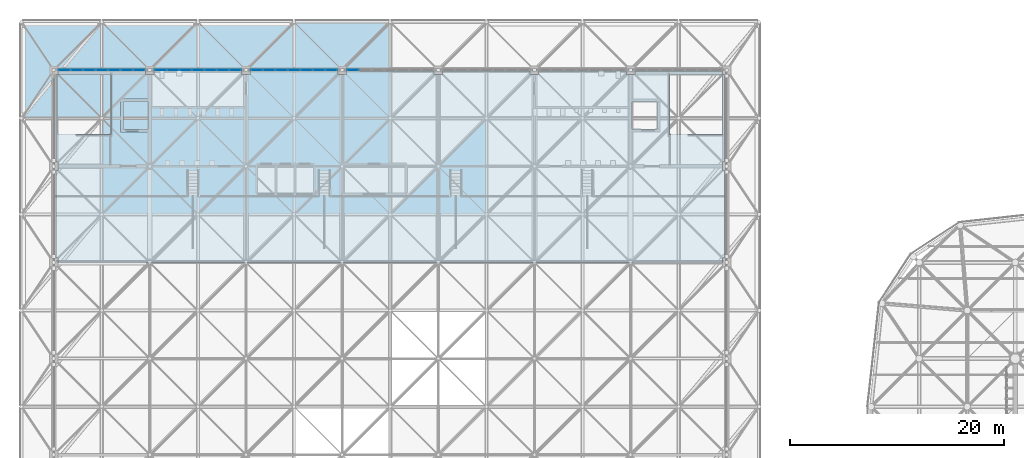
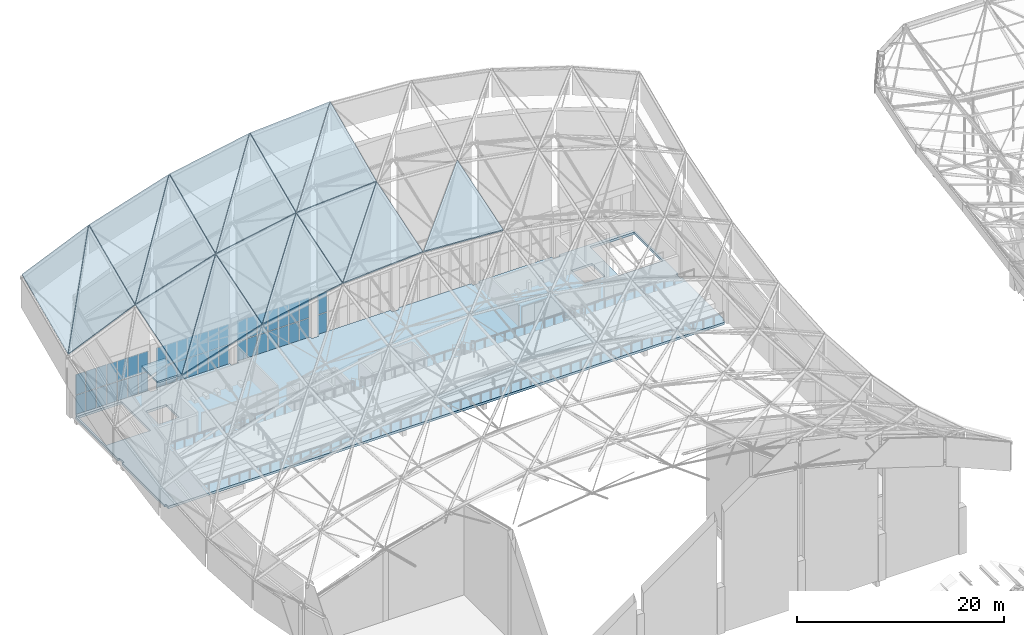
# One storey, part 243 of 437: 44 plates, 17 slabs, 4 elements without a shape of their own.
"""IFC4 building model written with IfcOpenShell, lengths in metres."""

from ifc_helpers import new_model, si_unit, direction, frame, origin, origin_2d, place, context, subcontext, project, spatial, polyline, rectangle, outline, extrude, material, layer, layer_set, type_object, element, aggregate, save


model = new_model("IFC4")

# Units and contexts
model_context = context("Model", 3, precision=1e-05, world=origin(), true_north=direction((0.0, 1.0)))
body_context = subcontext(model_context, "Body", "Model", "MODEL_VIEW")
ifc_project = project(units=[si_unit("LENGTHUNIT", "METRE"), si_unit("AREAUNIT", "SQUARE_METRE"), si_unit("VOLUMEUNIT", "CUBIC_METRE"), si_unit("PLANEANGLEUNIT", "RADIAN"), si_unit("MASSUNIT", "GRAM", prefix="KILO")], contexts=[model_context])

# Site, building, storey
site_placement = place(None, origin())
site = spatial("IfcSite", under=ifc_project, at=site_placement, CompositionType="ELEMENT")
building_placement = place(site_placement, origin())
building = spatial("IfcBuilding", under=site, at=building_placement, Name="Opaline Strait Convention Centre", CompositionType="ELEMENT")
storey_placement = place(building_placement, frame((0.0, 0.0, 11.5)))
storey = spatial("IfcBuildingStorey", under=building, at=storey_placement, Name="L02", CompositionType="ELEMENT", Elevation=11.5)

# Slab
ifc_material_1 = material(Name="Concrete C35", Category="concrete")
ifc_layer_1 = layer(ifc_material_1, 0.199951171875)
ifc_layer_set_1 = layer_set([ifc_layer_1], Name="Concrete C35")
slab_type_1 = type_object("IfcSlabType", Name="Core roof slab 200", PredefinedType="ROOF", material=ifc_layer_set_1)
slab_1_placement = place(storey_placement, frame((0.0, 0.0, 5.10009765625)))
element("IfcSlab", 1, at=slab_1_placement, inside=storey, type_object=slab_type_1, Name="PFS10 NW lift shaft head slab", PredefinedType="ROOF", context=body_context, shape_type="SweptSolid", body=[
    extrude(outline(polyline([(15.25, 174.199951171875), (17.85009765625, 174.199951171875), (17.85009765625, 177.300048828125), (15.25, 177.300048828125), (15.25, 174.199951171875)])), origin(), (0.0, 0.0, 1.0), 0.199951171875),
])

# Curtain wall, plates
ifc_material_2 = material(Name="Aluminium framed double glazing", Category="aluminium")
ifc_layer_2 = layer(ifc_material_2, 0.199951171875)
ifc_layer_set_2 = layer_set([ifc_layer_2], Name="Aluminium framed double glazing")
curtain_wall_type = type_object("IfcCurtainWallType", Name="Curtain wall 1250", PredefinedType="NOTDEFINED", material=ifc_layer_set_2)
curtain_wall_1_placement = place(storey_placement, origin())
curtain_wall_1 = element("IfcCurtainWall", 2, at=curtain_wall_1_placement, inside=storey, type_object=curtain_wall_type, Name="Curtain wall N-9-L02", PredefinedType="NOTDEFINED")
ifc_material_3 = material(Name="Double glazed unit low emissivity", Category="glass")
ifc_layer_3 = layer(ifc_material_3, 0.028076171875)
ifc_layer_set_3 = layer_set([ifc_layer_3], Name="Double glazed unit low emissivity")
plate_type = type_object("IfcPlateType", Name="Curtain wall glass panel 28", PredefinedType="CURTAIN_PANEL", material=ifc_layer_set_3)
plate_1_placement = place(storey_placement, frame((10.000732421875, 180.0, -0.219970703125), z_axis=(0.0, 0.0, 1.0), x_axis=(1.0, 0.0, 0.0)))
plate_1 = element("IfcPlate", 3, at=plate_1_placement, type_object=plate_type, Name="PCW panel 1.1", PredefinedType="CURTAIN_PANEL", context=body_context, shape_type="SweptSolid", body=[
    extrude(rectangle(XDim=1.08154296875, YDim=0.028076171875, at=origin_2d()), origin(), (0.0, 0.0, 1.0), 2.39990234375),
])
plate_2_placement = place(storey_placement, frame((10.000732421875, 180.0, 2.239990234375), z_axis=(0.0, 0.0, 1.0), x_axis=(1.0, 0.0, 0.0)))
plate_2 = element("IfcPlate", 4, at=plate_2_placement, type_object=plate_type, Name="PCW panel 1.2", PredefinedType="CURTAIN_PANEL", context=body_context, shape_type="SweptSolid", body=[
    extrude(rectangle(XDim=1.08154296875, YDim=0.028076171875, at=origin_2d()), origin(), (0.0, 0.0, 1.0), 2.39990234375),
])
plate_3_placement = place(storey_placement, frame((11.156982421875, 180.0, -0.219970703125), z_axis=(0.0, 0.0, 1.0), x_axis=(1.0, 0.0, 0.0)))
plate_3 = element("IfcPlate", 5, at=plate_3_placement, type_object=plate_type, Name="PCW panel 2.1", PredefinedType="CURTAIN_PANEL", context=body_context, shape_type="SweptSolid", body=[
    extrude(rectangle(XDim=1.111572265625, YDim=0.028076171875, at=origin_2d()), origin(), (0.0, 0.0, 1.0), 2.39990234375),
])
plate_4_placement = place(storey_placement, frame((11.156982421875, 180.0, 2.239990234375), z_axis=(0.0, 0.0, 1.0), x_axis=(1.0, 0.0, 0.0)))
plate_4 = element("IfcPlate", 6, at=plate_4_placement, type_object=plate_type, Name="PCW panel 2.2", PredefinedType="CURTAIN_PANEL", context=body_context, shape_type="SweptSolid", body=[
    extrude(rectangle(XDim=1.111572265625, YDim=0.028076171875, at=origin_2d()), origin(), (0.0, 0.0, 1.0), 2.39990234375),
])
plate_5_placement = place(storey_placement, frame((12.32861328125, 180.0, -0.219970703125), z_axis=(0.0, 0.0, 1.0), x_axis=(1.0, 0.0, 0.0)))
plate_5 = element("IfcPlate", 7, at=plate_5_placement, type_object=plate_type, Name="PCW panel 3.1", PredefinedType="CURTAIN_PANEL", context=body_context, shape_type="SweptSolid", body=[
    extrude(rectangle(XDim=1.111572265625, YDim=0.028076171875, at=origin_2d()), origin(), (0.0, 0.0, 1.0), 2.39990234375),
])
plate_6_placement = place(storey_placement, frame((12.32861328125, 180.0, 2.239990234375), z_axis=(0.0, 0.0, 1.0), x_axis=(1.0, 0.0, 0.0)))
plate_6 = element("IfcPlate", 8, at=plate_6_placement, type_object=plate_type, Name="PCW panel 3.2", PredefinedType="CURTAIN_PANEL", context=body_context, shape_type="SweptSolid", body=[
    extrude(rectangle(XDim=1.111572265625, YDim=0.028076171875, at=origin_2d()), origin(), (0.0, 0.0, 1.0), 2.39990234375),
])
plate_7_placement = place(storey_placement, frame((13.5, 180.0, -0.219970703125), z_axis=(0.0, 0.0, 1.0), x_axis=(1.0, 0.0, 0.0)))
plate_7 = element("IfcPlate", 9, at=plate_7_placement, type_object=plate_type, Name="PCW panel 4.1", PredefinedType="CURTAIN_PANEL", context=body_context, shape_type="SweptSolid", body=[
    extrude(rectangle(XDim=1.111572265625, YDim=0.028076171875, at=origin_2d()), origin(), (0.0, 0.0, 1.0), 2.39990234375),
])
plate_8_placement = place(storey_placement, frame((13.5, 180.0, 2.239990234375), z_axis=(0.0, 0.0, 1.0), x_axis=(1.0, 0.0, 0.0)))
plate_8 = element("IfcPlate", 10, at=plate_8_placement, type_object=plate_type, Name="PCW panel 4.2", PredefinedType="CURTAIN_PANEL", context=body_context, shape_type="SweptSolid", body=[
    extrude(rectangle(XDim=1.111572265625, YDim=0.028076171875, at=origin_2d()), origin(), (0.0, 0.0, 1.0), 2.39990234375),
])
plate_9_placement = place(storey_placement, frame((14.67138671875, 180.0, -0.219970703125), z_axis=(0.0, 0.0, 1.0), x_axis=(1.0, 0.0, 0.0)))
plate_9 = element("IfcPlate", 11, at=plate_9_placement, type_object=plate_type, Name="PCW panel 5.1", PredefinedType="CURTAIN_PANEL", context=body_context, shape_type="SweptSolid", body=[
    extrude(rectangle(XDim=1.111572265625, YDim=0.028076171875, at=origin_2d()), origin(), (0.0, 0.0, 1.0), 2.39990234375),
])
plate_10_placement = place(storey_placement, frame((14.67138671875, 180.0, 2.239990234375), z_axis=(0.0, 0.0, 1.0), x_axis=(1.0, 0.0, 0.0)))
plate_10 = element("IfcPlate", 12, at=plate_10_placement, type_object=plate_type, Name="PCW panel 5.2", PredefinedType="CURTAIN_PANEL", context=body_context, shape_type="SweptSolid", body=[
    extrude(rectangle(XDim=1.111572265625, YDim=0.028076171875, at=origin_2d()), origin(), (0.0, 0.0, 1.0), 2.39990234375),
])
plate_11_placement = place(storey_placement, frame((15.843017578125, 180.0, -0.219970703125), z_axis=(0.0, 0.0, 1.0), x_axis=(1.0, 0.0, 0.0)))
plate_11 = element("IfcPlate", 13, at=plate_11_placement, type_object=plate_type, Name="PCW panel 6.1", PredefinedType="CURTAIN_PANEL", context=body_context, shape_type="SweptSolid", body=[
    extrude(rectangle(XDim=1.111572265625, YDim=0.028076171875, at=origin_2d()), origin(), (0.0, 0.0, 1.0), 2.39990234375),
])
plate_12_placement = place(storey_placement, frame((15.843017578125, 180.0, 2.239990234375), z_axis=(0.0, 0.0, 1.0), x_axis=(1.0, 0.0, 0.0)))
plate_12 = element("IfcPlate", 14, at=plate_12_placement, type_object=plate_type, Name="PCW panel 6.2", PredefinedType="CURTAIN_PANEL", context=body_context, shape_type="SweptSolid", body=[
    extrude(rectangle(XDim=1.111572265625, YDim=0.028076171875, at=origin_2d()), origin(), (0.0, 0.0, 1.0), 2.39990234375),
])
plate_13_placement = place(storey_placement, frame((16.999267578125, 180.0, -0.219970703125), z_axis=(0.0, 0.0, 1.0), x_axis=(1.0, 0.0, 0.0)))
plate_13 = element("IfcPlate", 15, at=plate_13_placement, type_object=plate_type, Name="PCW panel 7.1", PredefinedType="CURTAIN_PANEL", context=body_context, shape_type="SweptSolid", body=[
    extrude(rectangle(XDim=1.08154296875, YDim=0.028076171875, at=origin_2d()), origin(), (0.0, 0.0, 1.0), 2.39990234375),
])
plate_14_placement = place(storey_placement, frame((16.999267578125, 180.0, 2.239990234375), z_axis=(0.0, 0.0, 1.0), x_axis=(1.0, 0.0, 0.0)))
plate_14 = element("IfcPlate", 16, at=plate_14_placement, type_object=plate_type, Name="PCW panel 7.2", PredefinedType="CURTAIN_PANEL", context=body_context, shape_type="SweptSolid", body=[
    extrude(rectangle(XDim=1.08154296875, YDim=0.028076171875, at=origin_2d()), origin(), (0.0, 0.0, 1.0), 2.39990234375),
])
aggregate(curtain_wall_1, [plate_1, plate_2, plate_3, plate_4, plate_5, plate_6, plate_7, plate_8, plate_9, plate_10, plate_11, plate_12, plate_13, plate_14])

curtain_wall_2_placement = place(storey_placement, origin())
curtain_wall_2 = element("IfcCurtainWall", 17, at=curtain_wall_2_placement, inside=storey, type_object=curtain_wall_type, Name="Curtain wall N-18-L02", PredefinedType="NOTDEFINED")
plate_15_placement = place(storey_placement, frame((19.000732421875, 180.0, -0.219970703125), z_axis=(0.0, 0.0, 1.0), x_axis=(1.0, 0.0, 0.0)))
plate_15 = element("IfcPlate", 18, at=plate_15_placement, type_object=plate_type, Name="PCW panel 1.1", PredefinedType="CURTAIN_PANEL", context=body_context, shape_type="SweptSolid", body=[
    extrude(rectangle(XDim=1.08154296875, YDim=0.028076171875, at=origin_2d()), origin(), (0.0, 0.0, 1.0), 2.39990234375),
])
plate_16_placement = place(storey_placement, frame((19.000732421875, 180.0, 2.239990234375), z_axis=(0.0, 0.0, 1.0), x_axis=(1.0, 0.0, 0.0)))
plate_16 = element("IfcPlate", 19, at=plate_16_placement, type_object=plate_type, Name="PCW panel 1.2", PredefinedType="CURTAIN_PANEL", context=body_context, shape_type="SweptSolid", body=[
    extrude(rectangle(XDim=1.08154296875, YDim=0.028076171875, at=origin_2d()), origin(), (0.0, 0.0, 1.0), 2.39990234375),
])
plate_17_placement = place(storey_placement, frame((20.156982421875, 180.0, -0.219970703125), z_axis=(0.0, 0.0, 1.0), x_axis=(1.0, 0.0, 0.0)))
plate_17 = element("IfcPlate", 20, at=plate_17_placement, type_object=plate_type, Name="PCW panel 2.1", PredefinedType="CURTAIN_PANEL", context=body_context, shape_type="SweptSolid", body=[
    extrude(rectangle(XDim=1.111572265625, YDim=0.028076171875, at=origin_2d()), origin(), (0.0, 0.0, 1.0), 2.39990234375),
])
plate_18_placement = place(storey_placement, frame((20.156982421875, 180.0, 2.239990234375), z_axis=(0.0, 0.0, 1.0), x_axis=(1.0, 0.0, 0.0)))
plate_18 = element("IfcPlate", 21, at=plate_18_placement, type_object=plate_type, Name="PCW panel 2.2", PredefinedType="CURTAIN_PANEL", context=body_context, shape_type="SweptSolid", body=[
    extrude(rectangle(XDim=1.111572265625, YDim=0.028076171875, at=origin_2d()), origin(), (0.0, 0.0, 1.0), 2.39990234375),
])
plate_19_placement = place(storey_placement, frame((21.32861328125, 180.0, -0.219970703125), z_axis=(0.0, 0.0, 1.0), x_axis=(1.0, 0.0, 0.0)))
plate_19 = element("IfcPlate", 22, at=plate_19_placement, type_object=plate_type, Name="PCW panel 3.1", PredefinedType="CURTAIN_PANEL", context=body_context, shape_type="SweptSolid", body=[
    extrude(rectangle(XDim=1.111572265625, YDim=0.028076171875, at=origin_2d()), origin(), (0.0, 0.0, 1.0), 2.39990234375),
])
plate_20_placement = place(storey_placement, frame((21.32861328125, 180.0, 2.239990234375), z_axis=(0.0, 0.0, 1.0), x_axis=(1.0, 0.0, 0.0)))
plate_20 = element("IfcPlate", 23, at=plate_20_placement, type_object=plate_type, Name="PCW panel 3.2", PredefinedType="CURTAIN_PANEL", context=body_context, shape_type="SweptSolid", body=[
    extrude(rectangle(XDim=1.111572265625, YDim=0.028076171875, at=origin_2d()), origin(), (0.0, 0.0, 1.0), 2.39990234375),
])
plate_21_placement = place(storey_placement, frame((22.5, 180.0, -0.219970703125), z_axis=(0.0, 0.0, 1.0), x_axis=(1.0, 0.0, 0.0)))
plate_21 = element("IfcPlate", 24, at=plate_21_placement, type_object=plate_type, Name="PCW panel 4.1", PredefinedType="CURTAIN_PANEL", context=body_context, shape_type="SweptSolid", body=[
    extrude(rectangle(XDim=1.111572265625, YDim=0.028076171875, at=origin_2d()), origin(), (0.0, 0.0, 1.0), 2.39990234375),
])
plate_22_placement = place(storey_placement, frame((22.5, 180.0, 2.239990234375), z_axis=(0.0, 0.0, 1.0), x_axis=(1.0, 0.0, 0.0)))
plate_22 = element("IfcPlate", 25, at=plate_22_placement, type_object=plate_type, Name="PCW panel 4.2", PredefinedType="CURTAIN_PANEL", context=body_context, shape_type="SweptSolid", body=[
    extrude(rectangle(XDim=1.111572265625, YDim=0.028076171875, at=origin_2d()), origin(), (0.0, 0.0, 1.0), 2.39990234375),
])
plate_23_placement = place(storey_placement, frame((23.67138671875, 180.0, -0.219970703125), z_axis=(0.0, 0.0, 1.0), x_axis=(1.0, 0.0, 0.0)))
plate_23 = element("IfcPlate", 26, at=plate_23_placement, type_object=plate_type, Name="PCW panel 5.1", PredefinedType="CURTAIN_PANEL", context=body_context, shape_type="SweptSolid", body=[
    extrude(rectangle(XDim=1.111572265625, YDim=0.028076171875, at=origin_2d()), origin(), (0.0, 0.0, 1.0), 2.39990234375),
])
plate_24_placement = place(storey_placement, frame((23.67138671875, 180.0, 2.239990234375), z_axis=(0.0, 0.0, 1.0), x_axis=(1.0, 0.0, 0.0)))
plate_24 = element("IfcPlate", 27, at=plate_24_placement, type_object=plate_type, Name="PCW panel 5.2", PredefinedType="CURTAIN_PANEL", context=body_context, shape_type="SweptSolid", body=[
    extrude(rectangle(XDim=1.111572265625, YDim=0.028076171875, at=origin_2d()), origin(), (0.0, 0.0, 1.0), 2.39990234375),
])
plate_25_placement = place(storey_placement, frame((24.843017578125, 180.0, -0.219970703125), z_axis=(0.0, 0.0, 1.0), x_axis=(1.0, 0.0, 0.0)))
plate_25 = element("IfcPlate", 28, at=plate_25_placement, type_object=plate_type, Name="PCW panel 6.1", PredefinedType="CURTAIN_PANEL", context=body_context, shape_type="SweptSolid", body=[
    extrude(rectangle(XDim=1.111572265625, YDim=0.028076171875, at=origin_2d()), origin(), (0.0, 0.0, 1.0), 2.39990234375),
])
plate_26_placement = place(storey_placement, frame((24.843017578125, 180.0, 2.239990234375), z_axis=(0.0, 0.0, 1.0), x_axis=(1.0, 0.0, 0.0)))
plate_26 = element("IfcPlate", 29, at=plate_26_placement, type_object=plate_type, Name="PCW panel 6.2", PredefinedType="CURTAIN_PANEL", context=body_context, shape_type="SweptSolid", body=[
    extrude(rectangle(XDim=1.111572265625, YDim=0.028076171875, at=origin_2d()), origin(), (0.0, 0.0, 1.0), 2.39990234375),
])
plate_27_placement = place(storey_placement, frame((25.999267578125, 180.0, -0.219970703125), z_axis=(0.0, 0.0, 1.0), x_axis=(1.0, 0.0, 0.0)))
plate_27 = element("IfcPlate", 30, at=plate_27_placement, type_object=plate_type, Name="PCW panel 7.1", PredefinedType="CURTAIN_PANEL", context=body_context, shape_type="SweptSolid", body=[
    extrude(rectangle(XDim=1.08154296875, YDim=0.028076171875, at=origin_2d()), origin(), (0.0, 0.0, 1.0), 2.39990234375),
])
plate_28_placement = place(storey_placement, frame((25.999267578125, 180.0, 2.239990234375), z_axis=(0.0, 0.0, 1.0), x_axis=(1.0, 0.0, 0.0)))
plate_28 = element("IfcPlate", 31, at=plate_28_placement, type_object=plate_type, Name="PCW panel 7.2", PredefinedType="CURTAIN_PANEL", context=body_context, shape_type="SweptSolid", body=[
    extrude(rectangle(XDim=1.08154296875, YDim=0.028076171875, at=origin_2d()), origin(), (0.0, 0.0, 1.0), 2.39990234375),
])
aggregate(curtain_wall_2, [plate_15, plate_16, plate_17, plate_18, plate_19, plate_20, plate_21, plate_22, plate_23, plate_24, plate_25, plate_26, plate_27, plate_28])

curtain_wall_3_placement = place(storey_placement, origin())
curtain_wall_3 = element("IfcCurtainWall", 32, at=curtain_wall_3_placement, inside=storey, type_object=curtain_wall_type, Name="Curtain wall N-27-L02", PredefinedType="NOTDEFINED")
plate_29_placement = place(storey_placement, frame((28.000732421875, 180.0, -0.219970703125), z_axis=(0.0, 0.0, 1.0), x_axis=(1.0, 0.0, 0.0)))
plate_29 = element("IfcPlate", 33, at=plate_29_placement, type_object=plate_type, Name="PCW panel 1.1", PredefinedType="CURTAIN_PANEL", context=body_context, shape_type="SweptSolid", body=[
    extrude(rectangle(XDim=1.08154296875, YDim=0.028076171875, at=origin_2d()), origin(), (0.0, 0.0, 1.0), 2.39990234375),
])
plate_30_placement = place(storey_placement, frame((28.000732421875, 180.0, 2.239990234375), z_axis=(0.0, 0.0, 1.0), x_axis=(1.0, 0.0, 0.0)))
plate_30 = element("IfcPlate", 34, at=plate_30_placement, type_object=plate_type, Name="PCW panel 1.2", PredefinedType="CURTAIN_PANEL", context=body_context, shape_type="SweptSolid", body=[
    extrude(rectangle(XDim=1.08154296875, YDim=0.028076171875, at=origin_2d()), origin(), (0.0, 0.0, 1.0), 2.39990234375),
])
plate_31_placement = place(storey_placement, frame((29.156982421875, 180.0, -0.219970703125), z_axis=(0.0, 0.0, 1.0), x_axis=(1.0, 0.0, 0.0)))
plate_31 = element("IfcPlate", 35, at=plate_31_placement, type_object=plate_type, Name="PCW panel 2.1", PredefinedType="CURTAIN_PANEL", context=body_context, shape_type="SweptSolid", body=[
    extrude(rectangle(XDim=1.111572265625, YDim=0.028076171875, at=origin_2d()), origin(), (0.0, 0.0, 1.0), 2.39990234375),
])
plate_32_placement = place(storey_placement, frame((29.156982421875, 180.0, 2.239990234375), z_axis=(0.0, 0.0, 1.0), x_axis=(1.0, 0.0, 0.0)))
plate_32 = element("IfcPlate", 36, at=plate_32_placement, type_object=plate_type, Name="PCW panel 2.2", PredefinedType="CURTAIN_PANEL", context=body_context, shape_type="SweptSolid", body=[
    extrude(rectangle(XDim=1.111572265625, YDim=0.028076171875, at=origin_2d()), origin(), (0.0, 0.0, 1.0), 2.39990234375),
])
plate_33_placement = place(storey_placement, frame((30.32861328125, 180.0, -0.219970703125), z_axis=(0.0, 0.0, 1.0), x_axis=(1.0, 0.0, 0.0)))
plate_33 = element("IfcPlate", 37, at=plate_33_placement, type_object=plate_type, Name="PCW panel 3.1", PredefinedType="CURTAIN_PANEL", context=body_context, shape_type="SweptSolid", body=[
    extrude(rectangle(XDim=1.111572265625, YDim=0.028076171875, at=origin_2d()), origin(), (0.0, 0.0, 1.0), 2.39990234375),
])
plate_34_placement = place(storey_placement, frame((30.32861328125, 180.0, 2.239990234375), z_axis=(0.0, 0.0, 1.0), x_axis=(1.0, 0.0, 0.0)))
plate_34 = element("IfcPlate", 38, at=plate_34_placement, type_object=plate_type, Name="PCW panel 3.2", PredefinedType="CURTAIN_PANEL", context=body_context, shape_type="SweptSolid", body=[
    extrude(rectangle(XDim=1.111572265625, YDim=0.028076171875, at=origin_2d()), origin(), (0.0, 0.0, 1.0), 2.39990234375),
])
plate_35_placement = place(storey_placement, frame((31.5, 180.0, -0.219970703125), z_axis=(0.0, 0.0, 1.0), x_axis=(1.0, 0.0, 0.0)))
plate_35 = element("IfcPlate", 39, at=plate_35_placement, type_object=plate_type, Name="PCW panel 4.1", PredefinedType="CURTAIN_PANEL", context=body_context, shape_type="SweptSolid", body=[
    extrude(rectangle(XDim=1.111572265625, YDim=0.028076171875, at=origin_2d()), origin(), (0.0, 0.0, 1.0), 2.39990234375),
])
plate_36_placement = place(storey_placement, frame((31.5, 180.0, 2.239990234375), z_axis=(0.0, 0.0, 1.0), x_axis=(1.0, 0.0, 0.0)))
plate_36 = element("IfcPlate", 40, at=plate_36_placement, type_object=plate_type, Name="PCW panel 4.2", PredefinedType="CURTAIN_PANEL", context=body_context, shape_type="SweptSolid", body=[
    extrude(rectangle(XDim=1.111572265625, YDim=0.028076171875, at=origin_2d()), origin(), (0.0, 0.0, 1.0), 2.39990234375),
])
plate_37_placement = place(storey_placement, frame((32.67138671875, 180.0, -0.219970703125), z_axis=(0.0, 0.0, 1.0), x_axis=(1.0, 0.0, 0.0)))
plate_37 = element("IfcPlate", 41, at=plate_37_placement, type_object=plate_type, Name="PCW panel 5.1", PredefinedType="CURTAIN_PANEL", context=body_context, shape_type="SweptSolid", body=[
    extrude(rectangle(XDim=1.111572265625, YDim=0.028076171875, at=origin_2d()), origin(), (0.0, 0.0, 1.0), 2.39990234375),
])
plate_38_placement = place(storey_placement, frame((32.67138671875, 180.0, 2.239990234375), z_axis=(0.0, 0.0, 1.0), x_axis=(1.0, 0.0, 0.0)))
plate_38 = element("IfcPlate", 42, at=plate_38_placement, type_object=plate_type, Name="PCW panel 5.2", PredefinedType="CURTAIN_PANEL", context=body_context, shape_type="SweptSolid", body=[
    extrude(rectangle(XDim=1.111572265625, YDim=0.028076171875, at=origin_2d()), origin(), (0.0, 0.0, 1.0), 2.39990234375),
])
plate_39_placement = place(storey_placement, frame((33.843017578125, 180.0, -0.219970703125), z_axis=(0.0, 0.0, 1.0), x_axis=(1.0, 0.0, 0.0)))
plate_39 = element("IfcPlate", 43, at=plate_39_placement, type_object=plate_type, Name="PCW panel 6.1", PredefinedType="CURTAIN_PANEL", context=body_context, shape_type="SweptSolid", body=[
    extrude(rectangle(XDim=1.111572265625, YDim=0.028076171875, at=origin_2d()), origin(), (0.0, 0.0, 1.0), 2.39990234375),
])
plate_40_placement = place(storey_placement, frame((33.843017578125, 180.0, 2.239990234375), z_axis=(0.0, 0.0, 1.0), x_axis=(1.0, 0.0, 0.0)))
plate_40 = element("IfcPlate", 44, at=plate_40_placement, type_object=plate_type, Name="PCW panel 6.2", PredefinedType="CURTAIN_PANEL", context=body_context, shape_type="SweptSolid", body=[
    extrude(rectangle(XDim=1.111572265625, YDim=0.028076171875, at=origin_2d()), origin(), (0.0, 0.0, 1.0), 2.39990234375),
])
plate_41_placement = place(storey_placement, frame((34.999267578125, 180.0, -0.219970703125), z_axis=(0.0, 0.0, 1.0), x_axis=(1.0, 0.0, 0.0)))
plate_41 = element("IfcPlate", 45, at=plate_41_placement, type_object=plate_type, Name="PCW panel 7.1", PredefinedType="CURTAIN_PANEL", context=body_context, shape_type="SweptSolid", body=[
    extrude(rectangle(XDim=1.08154296875, YDim=0.028076171875, at=origin_2d()), origin(), (0.0, 0.0, 1.0), 2.39990234375),
])
plate_42_placement = place(storey_placement, frame((34.999267578125, 180.0, 2.239990234375), z_axis=(0.0, 0.0, 1.0), x_axis=(1.0, 0.0, 0.0)))
plate_42 = element("IfcPlate", 46, at=plate_42_placement, type_object=plate_type, Name="PCW panel 7.2", PredefinedType="CURTAIN_PANEL", context=body_context, shape_type="SweptSolid", body=[
    extrude(rectangle(XDim=1.08154296875, YDim=0.028076171875, at=origin_2d()), origin(), (0.0, 0.0, 1.0), 2.39990234375),
])
aggregate(curtain_wall_3, [plate_29, plate_30, plate_31, plate_32, plate_33, plate_34, plate_35, plate_36, plate_37, plate_38, plate_39, plate_40, plate_41, plate_42])

curtain_wall_4_placement = place(storey_placement, origin())
curtain_wall_4 = element("IfcCurtainWall", 47, at=curtain_wall_4_placement, inside=storey, type_object=curtain_wall_type, Name="Curtain wall N-36-L02", PredefinedType="NOTDEFINED")
plate_43_placement = place(storey_placement, frame((37.000732421875, 180.0, -0.219970703125), z_axis=(0.0, 0.0, 1.0), x_axis=(1.0, 0.0, 0.0)))
plate_43 = element("IfcPlate", 48, at=plate_43_placement, type_object=plate_type, Name="PCW panel 1.1", PredefinedType="CURTAIN_PANEL", context=body_context, shape_type="SweptSolid", body=[
    extrude(rectangle(XDim=1.08154296875, YDim=0.028076171875, at=origin_2d()), origin(), (0.0, 0.0, 1.0), 2.39990234375),
])
plate_44_placement = place(storey_placement, frame((37.000732421875, 180.0, 2.239990234375), z_axis=(0.0, 0.0, 1.0), x_axis=(1.0, 0.0, 0.0)))
plate_44 = element("IfcPlate", 49, at=plate_44_placement, type_object=plate_type, Name="PCW panel 1.2", PredefinedType="CURTAIN_PANEL", context=body_context, shape_type="SweptSolid", body=[
    extrude(rectangle(XDim=1.08154296875, YDim=0.028076171875, at=origin_2d()), origin(), (0.0, 0.0, 1.0), 2.39990234375),
])
aggregate(curtain_wall_4, [plate_43, plate_44])

# Slabs
ifc_layer_4 = layer(ifc_material_1, 0.280029296875)
ifc_layer_set_4 = layer_set([ifc_layer_4], Name="Concrete C35")
slab_type_2 = type_object("IfcSlabType", Name="Floor slab 280 C35", PredefinedType="FLOOR", material=ifc_layer_set_4)
slab_2_placement = place(storey_placement, frame((0.0, 0.0, -0.280029296875)))
element("IfcSlab", 50, at=slab_2_placement, inside=storey, type_object=slab_type_2, Name="PFS2 L02 upper deck slab", PredefinedType="FLOOR", context=body_context, shape_type="SweptSolid", body=[
    extrude(outline(polyline([(17.60009765625, 179.89990234375), (17.60009765625, 179.60009765625), (18.39990234375, 179.60009765625), (18.39990234375, 179.89990234375), (26.60009765625, 179.89990234375), (26.60009765625, 179.60009765625), (27.39990234375, 179.60009765625), (27.39990234375, 179.89990234375), (35.60009765625, 179.89990234375), (35.60009765625, 179.60009765625), (36.39990234375, 179.60009765625), (36.39990234375, 179.89990234375), (44.60009765625, 179.89990234375), (44.60009765625, 179.60009765625), (45.39990234375, 179.60009765625), (45.39990234375, 179.89990234375), (53.60009765625, 179.89990234375), (53.60009765625, 179.60009765625), (54.39990234375, 179.60009765625), (54.39990234375, 179.89990234375), (62.60009765625, 179.89990234375), (62.60009765625, 179.60009765625), (63.39990234375, 179.60009765625), (63.39990234375, 179.89990234375), (71.60009765625, 179.89990234375), (71.60009765625, 179.60009765625), (71.800048828125, 179.60009765625), (71.800048828125, 171.39990234375), (71.60009765625, 171.39990234375), (71.60009765625, 170.60009765625), (71.800048828125, 170.60009765625), (71.800048828125, 162.39990234375), (71.60009765625, 162.39990234375), (71.60009765625, 162.0), (9.39990234375, 162.0), (9.39990234375, 162.39990234375), (9.199951171875, 162.39990234375), (9.199951171875, 170.60009765625), (9.39990234375, 170.60009765625), (9.39990234375, 171.39990234375), (9.199951171875, 171.39990234375), (9.199951171875, 179.60009765625), (9.39990234375, 179.60009765625), (9.39990234375, 179.89990234375), (17.60009765625, 179.89990234375)]), holes=[polyline([(14.35009765625, 179.550048828125), (9.39990234375, 179.550048828125), (9.39990234375, 173.95068359375), (14.35009765625, 173.95068359375), (14.35009765625, 179.550048828125)]), polyline([(71.60009765625, 173.95068359375), (71.60009765625, 179.550048828125), (66.64990234375, 179.550048828125), (66.64990234375, 173.95068359375), (71.60009765625, 173.95068359375)]), polyline([(15.550048828125, 174.5), (17.85009765625, 174.5), (17.85009765625, 177.0), (15.550048828125, 177.0), (15.550048828125, 174.5)]), polyline([(63.14990234375, 177.0), (63.14990234375, 174.5), (65.449951171875, 174.5), (65.449951171875, 177.0), (63.14990234375, 177.0)])]), origin(), (0.0, 0.0, 1.0), 0.280029296875),
])
ifc_material_4 = material(Name="Steel Q235-B profiled roof deck with insulation and membrane", Category="steel")
ifc_layer_5 = layer(ifc_material_4, 0.199951171875)
ifc_layer_set_5 = layer_set([ifc_layer_5], Name="Steel Q235-B profiled roof deck with insulation and membrane")
slab_type_3 = type_object("IfcSlabType", Name="Shell roof deck panel 200", PredefinedType="ROOF", material=ifc_layer_set_5)
slab_3_placement = place(storey_placement, frame((6.03857421875, 175.523193359375, 11.00830078125), z_axis=(-0.368571911623, -0.377550318462, 0.849476605323), x_axis=(0.917372173394, 0.0, 0.398030520792)))
element("IfcSlab", 51, at=slab_3_placement, inside=storey, type_object=slab_type_3, Name="PRD1 roof deck 1-8a", PredefinedType="ROOF", context=body_context, shape_type="SweptSolid", body=[
    extrude(outline(polyline([(0.0, 0.0), (8.112453034563291, 2.220446049250313e-16), (9.692331014797814, 9.644459481906674), (0.0, 0.0)])), origin(), (0.0, 0.0, -1.0), 0.199951171875),
])
slab_4_placement = place(storey_placement, frame((6.019287109375, 175.546142578125, 11.010498046875), z_axis=(-0.368575143071, -0.377530405991, 0.849484053095), x_axis=(0.544290952706, 0.65315628547, 0.526435395422)))
element("IfcSlab", 52, at=slab_4_placement, inside=storey, type_object=slab_type_3, Name="PRD1 roof deck 1-8b", PredefinedType="ROOF", context=body_context, shape_type="SweptSolid", body=[
    extrude(outline(polyline([(0.0, 0.0), (13.673089061783468, 1.6653345369377348e-16), (7.922538365692214, 5.722155269623461), (0.0, 0.0)])), origin(), (0.0, 0.0, -1.0), 0.199951171875),
])
slab_5_placement = place(storey_placement, frame((13.546142578125, 166.523193359375, 11.384033203125), z_axis=(-0.289618114012, -0.289618114012, 0.912273366964), x_axis=(0.953122000875, 0.0, 0.302586271082)))
element("IfcSlab", 53, at=slab_5_placement, inside=storey, type_object=slab_type_3, Name="PRD1 roof deck 2-7a", PredefinedType="ROOF", context=body_context, shape_type="SweptSolid", body=[
    extrude(outline(polyline([(0.0, 0.0), (9.369906532738456, -2.220446049250313e-16), (10.227800665080082, 9.330550149372147), (0.0, 0.0)])), origin(), (0.0, 0.0, -1.0), 0.199951171875),
])
slab_6_placement = place(storey_placement, frame((13.523193359375, 166.546142578125, 11.384033203125), z_axis=(-0.289618114012, -0.289618114012, 0.912273366964), x_axis=(0.645074684076, 0.645074684076, 0.409581864745)))
element("IfcSlab", 54, at=slab_6_placement, inside=storey, type_object=slab_type_3, Name="PRD1 roof deck 2-7b", PredefinedType="ROOF", context=body_context, shape_type="SweptSolid", body=[
    extrude(outline(polyline([(0.0, 0.0), (13.844387763081514, 0.0), (6.922193881540757, 6.314933119092752), (0.0, 0.0)])), origin(), (0.0, 0.0, -1.0), 0.199951171875),
])
slab_7_placement = place(storey_placement, frame((13.546142578125, 175.523193359375, 14.252685546875), z_axis=(-0.278618162966, -0.390060629769, 0.87762442102), x_axis=(0.953122000875, 0.0, 0.302586271082)))
element("IfcSlab", 55, at=slab_7_placement, inside=storey, type_object=slab_type_3, Name="PRD1 roof deck 2-8a", PredefinedType="ROOF", context=body_context, shape_type="SweptSolid", body=[
    extrude(outline(polyline([(0.0, 0.0), (9.369906532738456, -2.220446049250313e-16), (10.570943543296465, 9.698923818127419), (0.0, 0.0)])), origin(), (0.0, 0.0, -1.0), 0.199951171875),
])
slab_8_placement = place(storey_placement, frame((13.523193359375, 175.546142578125, 14.255859375), z_axis=(-0.278596033271, -0.390063237076, 0.87763028738), x_axis=(0.622515017725, 0.622515017725, 0.474289052597)))
element("IfcSlab", 56, at=slab_8_placement, inside=storey, type_object=slab_type_3, Name="PRD1 roof deck 2-8b", PredefinedType="ROOF", context=body_context, shape_type="SweptSolid", body=[
    extrude(outline(polyline([(0.0, 0.0), (14.34610219547094, -3.3306690738754696e-16), (7.442038761110198, 6.334640653478527), (0.0, 0.0)])), origin(), (0.0, 0.0, -1.0), 0.199951171875),
])
slab_9_placement = place(storey_placement, frame((22.546142578125, 166.523193359375, 14.2294921875), z_axis=(-0.178611831392, -0.297720568101, 0.937795434525), x_axis=(0.982341621958, 0.0, 0.187096065615)))
element("IfcSlab", 57, at=slab_9_placement, inside=storey, type_object=slab_type_3, Name="PRD1 roof deck 3-7a", PredefinedType="ROOF", context=body_context, shape_type="SweptSolid", body=[
    extrude(outline(polyline([(0.0, 0.0), (9.091199907316696, 0.0), (9.62165562264449, 9.354879217089383), (0.0, 0.0)])), origin(), (0.0, 0.0, -1.0), 0.199951171875),
])
slab_10_placement = place(storey_placement, frame((22.523193359375, 166.546142578125, 14.232421875), z_axis=(-0.178638013595, -0.297695840107, 0.937798297547), x_axis=(0.665486006069, 0.665486006069, 0.338018862569)))
element("IfcSlab", 58, at=slab_10_placement, inside=storey, type_object=slab_type_3, Name="PRD1 roof deck 3-7b", PredefinedType="ROOF", context=body_context, shape_type="SweptSolid", body=[
    extrude(outline(polyline([(0.0, 0.0), (13.419762370738804, 5.551115123125783e-17), (6.90150223001897, 6.33743095295113), (0.0, 0.0)])), origin(), (0.0, 0.0, -1.0), 0.199951171875),
])
slab_11_placement = place(storey_placement, frame((22.546142578125, 175.523193359375, 17.098388671875), z_axis=(-0.171465910927, -0.400128144087, 0.900276018618), x_axis=(0.982341621958, 0.0, 0.187096065615)))
element("IfcSlab", 59, at=slab_11_placement, inside=storey, type_object=slab_type_3, Name="PRD1 roof deck 3-8a", PredefinedType="ROOF", context=body_context, shape_type="SweptSolid", body=[
    extrude(outline(polyline([(0.0, 0.0), (9.091199907316696, 1.1102230246251565e-16), (9.833828773225529, 9.744748098236734), (0.0, 0.0)])), origin(), (0.0, 0.0, -1.0), 0.199951171875),
])
slab_12_placement = place(storey_placement, frame((22.523193359375, 175.546142578125, 17.104248046875), z_axis=(-0.171465910927, -0.400128144087, 0.900276018618), x_axis=(0.645079343287, 0.645079343287, 0.409567188295)))
element("IfcSlab", 60, at=slab_12_placement, inside=storey, type_object=slab_type_3, Name="PRD1 roof deck 3-8b", PredefinedType="ROOF", context=body_context, shape_type="SweptSolid", body=[
    extrude(outline(polyline([(0.0, 0.0), (13.844287769300617, 0.0), (7.386656671082519, 6.39913403157971), (0.0, 0.0)])), origin(), (0.0, 0.0, -1.0), 0.199951171875),
])
slab_13_placement = place(storey_placement, frame((31.546142578125, 166.523193359375, 15.934814453125), z_axis=(-0.060391192332, -0.302033986457, 0.951382349486), x_axis=(0.997991383615, 0.0, 0.063349808441)))
element("IfcSlab", 61, at=slab_13_placement, inside=storey, type_object=slab_type_3, Name="PRD1 roof deck 4-7a", PredefinedType="ROOF", context=body_context, shape_type="SweptSolid", body=[
    extrude(outline(polyline([(0.0, 0.0), (8.94863844429923, 0.0), (9.128248142888092, 9.368184924969595), (0.0, 0.0)])), origin(), (0.0, 0.0, -1.0), 0.199951171875),
])
slab_14_placement = place(storey_placement, frame((31.523193359375, 166.546142578125, 15.940673828125), z_axis=(-0.060391192332, -0.302033986457, 0.951382349486), x_axis=(0.682769682417, 0.682769682417, 0.260098292085)))
element("IfcSlab", 62, at=slab_14_placement, inside=storey, type_object=slab_type_3, Name="PRD1 roof deck 4-7b", PredefinedType="ROOF", context=body_context, shape_type="SweptSolid", body=[
    extrude(outline(polyline([(0.0, 0.0), (13.080053629346004, 0.0), (6.8350186642534565, 6.40918624253982), (0.0, 0.0)])), origin(), (0.0, 0.0, -1.0), 0.199951171875),
])
slab_15_placement = place(storey_placement, frame((31.546142578125, 175.523193359375, 18.803955078125), z_axis=(-0.057908826624, -0.405461543173, 0.912276002538), x_axis=(0.997991383615, 0.0, 0.063349808441)))
element("IfcSlab", 63, at=slab_15_placement, inside=storey, type_object=slab_type_3, Name="PRD1 roof deck 4-8a", PredefinedType="ROOF", context=body_context, shape_type="SweptSolid", body=[
    extrude(outline(polyline([(0.0, 0.0), (8.94863844429923, 2.7755575615628914e-17), (9.200088929071272, 9.769768972922407), (0.0, 0.0)])), origin(), (0.0, 0.0, -1.0), 0.199951171875),
])
slab_16_placement = place(storey_placement, frame((31.523193359375, 175.546142578125, 18.812744140625), z_axis=(-0.057908826624, -0.405461543173, 0.912276002538), x_axis=(0.665486006069, 0.665486006069, 0.338018862569)))
element("IfcSlab", 64, at=slab_16_placement, inside=storey, type_object=slab_type_3, Name="PRD1 roof deck 4-8b", PredefinedType="ROOF", context=body_context, shape_type="SweptSolid", body=[
    extrude(outline(polyline([(0.0, 0.0), (13.419762370738804, -2.220446049250313e-16), (7.284909367590845, 6.514730127684232), (0.0, 0.0)])), origin(), (0.0, 0.0, -1.0), 0.199951171875),
])
slab_17_placement = place(storey_placement, frame((40.546142578125, 166.523193359375, 16.500244140625), z_axis=(0.060391666713, -0.302010350504, 0.951389822722), x_axis=(0.997991383615, 0.0, -0.063349808441)))
element("IfcSlab", 65, at=slab_17_placement, inside=storey, type_object=slab_type_3, Name="PRD1 roof deck 5-7a", PredefinedType="ROOF", context=body_context, shape_type="SweptSolid", body=[
    extrude(outline(polyline([(0.0, 0.0), (8.94863844429923, 0.0), (8.769044211972194, 9.368111337195709), (0.0, 0.0)])), origin(), (0.0, 0.0, -1.0), 0.199951171875),
])

save(model, "model.ifc")
